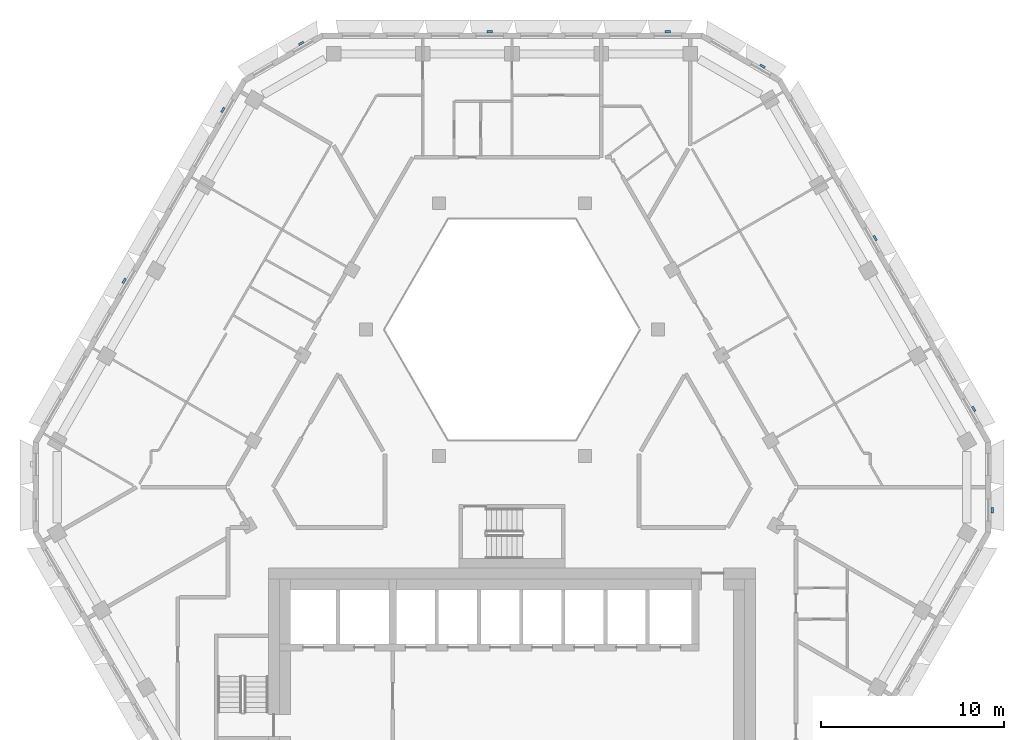
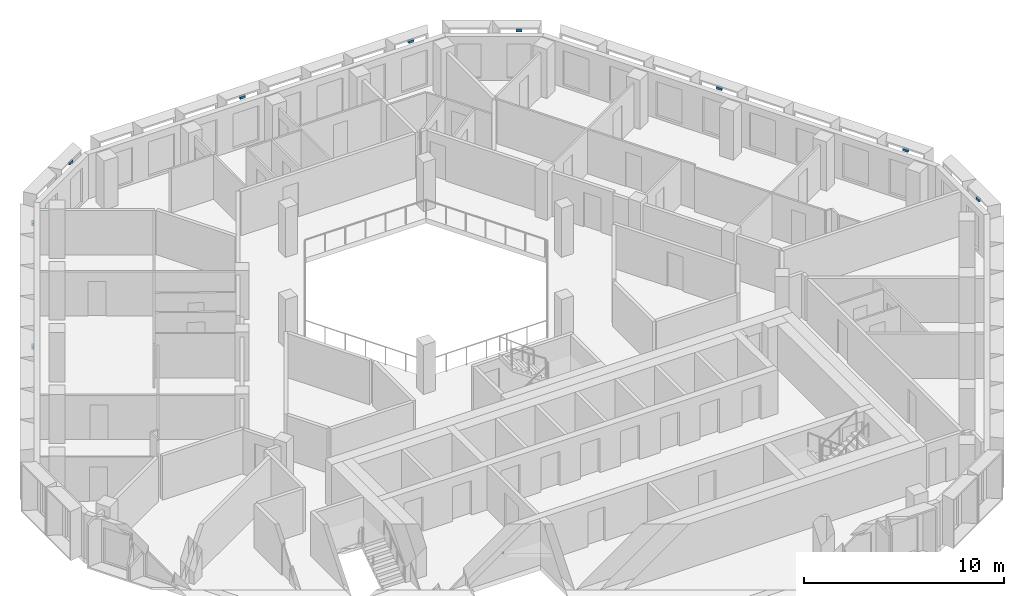
# One storey, part 10 of 17: 9 discrete accessories.
"""IFC4 building model written with IfcOpenShell, lengths in metres."""

from ifc_helpers import new_model, si_unit, direction, frame, origin, place, context, subcontext, project, spatial, polyline, outline, extrude, source, transform, mapped, material, type_object, type_shapes, element, save


model = new_model("IFC4")

# Units and contexts
model_context = context("Model", 3, precision=1e-05, world=origin(), true_north=direction((0.0, 1.0)))
body_context = subcontext(model_context, "Body", "Model", "MODEL_VIEW")
ifc_project = project(units=[si_unit("LENGTHUNIT", "METRE"), si_unit("AREAUNIT", "SQUARE_METRE"), si_unit("VOLUMEUNIT", "CUBIC_METRE"), si_unit("PLANEANGLEUNIT", "RADIAN"), si_unit("MASSUNIT", "GRAM", prefix="KILO")], contexts=[model_context])

# Site, building, storey
site_placement = place(None, origin())
site = spatial("IfcSite", under=ifc_project, at=site_placement, CompositionType="ELEMENT")
building_placement = place(site_placement, origin())
building = spatial("IfcBuilding", under=site, at=building_placement, Name="Beryl Residences", CompositionType="ELEMENT")
storey_placement = place(building_placement, frame((0.0, 0.0, 178.199951171875)))
storey = spatial("IfcBuildingStorey", under=building, at=storey_placement, Name="L54", CompositionType="ELEMENT", Elevation=178.199951171875)

# Discrete accessories
ifc_material = material(Name="Steel S355", Category="steel")
discrete_accessory_type = type_object("IfcDiscreteAccessoryType", Name="BR1 frame bracket 300 x 120 x 150 mm", PredefinedType="BRACKET", material=ifc_material)
shared_shape = source(origin(), body_context, "Body", "SweptSolid", [
    extrude(outline(polyline([(-0.14990234375, 0.0), (0.14990234375, 0.0), (0.14990234375, 0.1201171875), (-0.14990234375, 0.1201171875), (-0.14990234375, 0.0)])), origin(), (0.0, 0.0, 1.0), 0.14990234375),
])
type_shapes(discrete_accessory_type, [shared_shape])
for number, where, z_axis, x_axis, name in (
    (1, (8.511962890625, 24.199951171875, 2.75), (0.0, 0.0, 1.0), (1.0, 0.0, 0.0), "BR1 bracket L54 N 1"),
    (2, (-1.216064453125, 24.199951171875, 2.75), (0.0, 0.0, 1.0), (1.0, 0.0, 0.0), "BR1 bracket L54 N 5"),
    (3, (-11.47412109375, 23.574951171875, 2.75), (0.0, 0.0, 1.0), (0.866025403784, 0.5, 0.0), "BR1 bracket L54 N-NW 1"),
    (4, (-15.72705078125, 19.9599609375, 2.75), (0.0, 0.0, 1.0), (0.5, 0.866025403784, 0.0), "BR1 bracket L54 NW 1"),
    (5, (-21.111083984375, 10.634033203125, 2.75), (0.0, 0.0, 1.0), (0.5, 0.866025403784, 0.0), "BR1 bracket L54 NW 5"),
    (6, (26.154052734375, -1.85009765625, 2.75), (0.0, 0.0, 1.0), (0.0, -1.0, 0.0), "BR1 bracket L54 SE-NE 1"),
    (7, (25.14892578125, 3.639892578125, 2.75), (0.0, 0.0, 1.0), (0.5, -0.866025403784, 0.0), "BR1 bracket L54 NE 1"),
    (8, (19.764892578125, 12.966064453125, 2.75), (0.0, 0.0, 1.0), (0.5, -0.866025403784, 0.0), "BR1 bracket L54 NE 5"),
    (9, (13.638916015625, 22.324951171875, 2.75), (0.0, 0.0, 1.0), (0.866025403784, -0.5, 0.0), "BR1 bracket L54 NE-N 1"),
):
    element("IfcDiscreteAccessory", number, at=place(storey_placement, frame(where, z_axis=z_axis, x_axis=x_axis)), inside=storey, type_object=discrete_accessory_type, Name=name, PredefinedType="BRACKET", context=body_context, shape_type="MappedRepresentation", body=[
        mapped(shared_shape, transform((0.0, 0.0, 0.0))),
    ])

save(model, "model.ifc")
